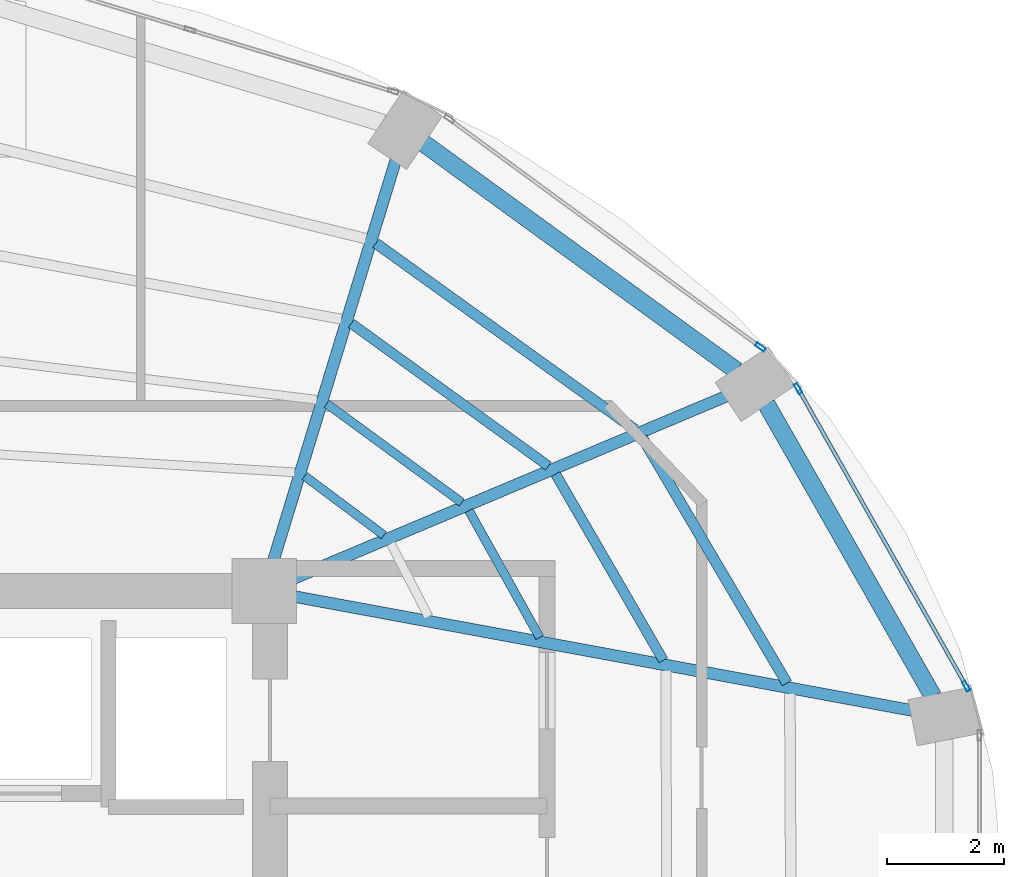
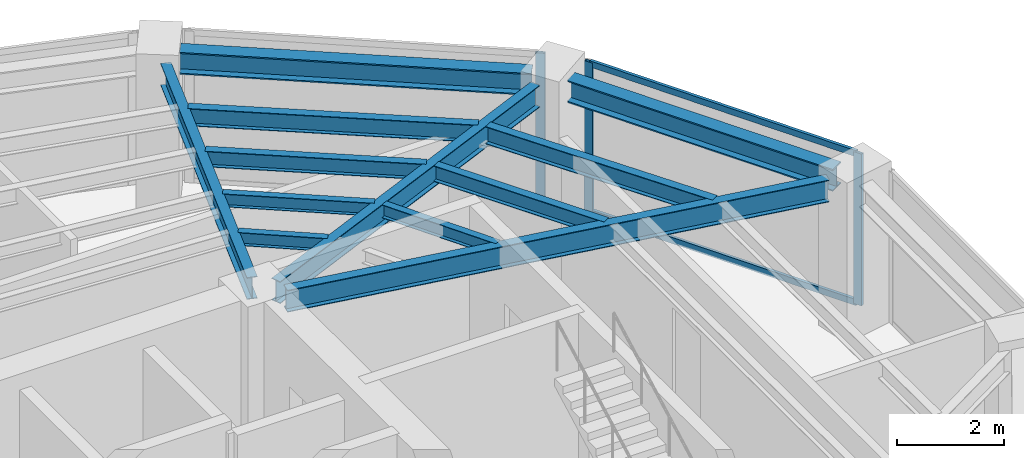
# One storey, part 15 of 23: 12 beams, 5 members, 2 elements without a shape of their own.
"""IFC4 building model written with IfcOpenShell, lengths in metres."""

from ifc_helpers import new_model, si_unit, direction, frame, origin, origin_2d, place, context, subcontext, project, spatial, hollow_rectangle, i_section, extrude, material, layer, layer_set, material_profile, profile_set, type_object, element, aggregate, save


model = new_model("IFC4")

# Units and contexts
model_context = context("Model", 3, precision=1e-05, world=origin(), true_north=direction((0.0, 1.0)))
body_context = subcontext(model_context, "Body", "Model", "MODEL_VIEW")
ifc_project = project(units=[si_unit("LENGTHUNIT", "METRE"), si_unit("AREAUNIT", "SQUARE_METRE"), si_unit("VOLUMEUNIT", "CUBIC_METRE"), si_unit("PLANEANGLEUNIT", "RADIAN"), si_unit("MASSUNIT", "GRAM", prefix="KILO")], contexts=[model_context])

# Site, building, storey
site_placement = place(None, origin())
site = spatial("IfcSite", under=ifc_project, at=site_placement, CompositionType="ELEMENT")
building_placement = place(site_placement, origin())
building = spatial("IfcBuilding", under=site, at=building_placement, Name="Lazwardi Medical Tower", CompositionType="ELEMENT")
storey_placement = place(building_placement, frame((0.0, 0.0, 213.072021484375)))
storey = spatial("IfcBuildingStorey", under=building, at=storey_placement, Name="L55", CompositionType="ELEMENT", Elevation=213.072021484375)

# Beams
ifc_material_1 = material(Name="Steel S355", Category="steel")
ifc_material_profile_1 = material_profile(ifc_material_1, i_section(OverallWidth=0.300048828125, OverallDepth=0.5, WebThickness=0.014404296875, FlangeThickness=0.028076171875, at=origin_2d()), Name="HEB 500")
ifc_profile_set_1 = profile_set([ifc_material_profile_1], Name="Steel S355")
beam_type_1 = type_object("IfcBeamType", Name="BM-RB-Z4", PredefinedType="BEAM", material=ifc_profile_set_1)
beam_1_placement = place(storey_placement, frame((56.991943359375, 33.8017578125, 3.197998046875), z_axis=(-0.495125273299, 0.868821594886, 0.0), x_axis=(-0.868821594886, -0.495125273299, 0.0)))
element("IfcBeam", 1, at=beam_1_placement, inside=storey, type_object=beam_type_1, Name="Ring beam RB-05 B05 L55", PredefinedType="BEAM", context=body_context, shape_type="SweptSolid", body=[
    extrude(i_section(OverallWidth=0.300048828125, OverallDepth=0.5, WebThickness=0.014404296875, FlangeThickness=0.028076171875, at=origin_2d()), origin(), (0.0, 0.0, 1.0), 5.734130859375),
])
beam_2_placement = place(storey_placement, frame((53.644287109375, 39.351806640625, 3.197998046875), z_axis=(-0.808889916254, 0.587960120571, 0.0), x_axis=(-0.587960120571, -0.808889916254, 0.0)))
element("IfcBeam", 2, at=beam_2_placement, inside=storey, type_object=beam_type_1, Name="Ring beam RB-05 B06 L55", PredefinedType="BEAM", context=body_context, shape_type="SweptSolid", body=[
    extrude(i_section(OverallWidth=0.300048828125, OverallDepth=0.5, WebThickness=0.014404296875, FlangeThickness=0.028076171875, at=origin_2d()), origin(), (0.0, 0.0, 1.0), 6.587158203125),
])
ifc_material_profile_2 = material_profile(ifc_material_1, i_section(OverallWidth=0.199951171875, OverallDepth=0.5, WebThickness=0.01025390625, FlangeThickness=0.01611328125, at=origin_2d()), Name="IPE 500")
ifc_profile_set_2 = profile_set([ifc_material_profile_2], Name="Steel S355")
beam_type_2 = type_object("IfcBeamType", Name="BM-RG-W3", PredefinedType="BEAM", material=ifc_profile_set_2)
beam_3_placement = place(storey_placement, frame((56.658935546875, 33.56005859375, 3.197998046875), z_axis=(-0.983409341459, 0.181400295288, 0.0), x_axis=(-0.181400295288, -0.983409341459, 0.0)))
element("IfcBeam", 3, at=beam_3_placement, inside=storey, type_object=beam_type_2, Name="Radial girder RG-04 R05 L55", PredefinedType="BEAM", context=body_context, shape_type="SweptSolid", body=[
    extrude(i_section(OverallWidth=0.199951171875, OverallDepth=0.5, WebThickness=0.01025390625, FlangeThickness=0.01611328125, at=origin_2d()), origin(), (0.0, 0.0, 1.0), 10.71044921875),
])
beam_4_placement = place(storey_placement, frame((53.466796875, 38.914794921875, 3.197998046875), z_axis=(-0.921526791352, -0.388314785735, 0.0), x_axis=(0.388314785735, -0.921526791352, 0.0)))
element("IfcBeam", 4, at=beam_4_placement, inside=storey, type_object=beam_type_2, Name="Radial girder RG-04 R06 L55", PredefinedType="BEAM", context=body_context, shape_type="SweptSolid", body=[
    extrude(i_section(OverallWidth=0.199951171875, OverallDepth=0.5, WebThickness=0.01025390625, FlangeThickness=0.01611328125, at=origin_2d()), origin(), (0.0, 0.0, 1.0), 8.001708984375),
])
beam_5_placement = place(storey_placement, frame((47.843994140625, 42.9423828125, 3.197998046875), z_axis=(-0.292276716539, -0.956333791607, 0.0), x_axis=(0.956333791607, -0.292276716539, 0.0)))
element("IfcBeam", 5, at=beam_5_placement, inside=storey, type_object=beam_type_2, Name="Radial girder RG-04 R07 L55", PredefinedType="BEAM", context=body_context, shape_type="SweptSolid", body=[
    extrude(i_section(OverallWidth=0.199951171875, OverallDepth=0.5, WebThickness=0.01025390625, FlangeThickness=0.01611328125, at=origin_2d()), origin(), (0.0, 0.0, 1.0), 7.142822265625),
])
ifc_material_profile_3 = material_profile(ifc_material_1, i_section(OverallWidth=0.179931640625, OverallDepth=0.39990234375, WebThickness=0.008544921875, FlangeThickness=0.013427734375, at=origin_2d()), Name="IPE 400")
ifc_profile_set_3 = profile_set([ifc_material_profile_3], Name="Steel S355")
beam_type_3 = type_object("IfcBeamType", Name="BM-SJ-01", PredefinedType="JOIST", material=ifc_profile_set_3)
beam_6_placement = place(storey_placement, frame((54.504150390625, 34.030517578125, 3.248046875), z_axis=(-0.507710311367, 0.861527851977, 0.0), x_axis=(-0.861527851977, -0.507710311367, 0.0)))
element("IfcBeam", 6, at=beam_6_placement, inside=storey, type_object=beam_type_3, Name="Secondary joist SJ-01 R1 B05 L55", PredefinedType="JOIST", context=body_context, shape_type="SweptSolid", body=[
    extrude(i_section(OverallWidth=0.179931640625, OverallDepth=0.39990234375, WebThickness=0.008544921875, FlangeThickness=0.013427734375, at=origin_2d()), origin(), (0.0, 0.0, 1.0), 4.852783203125),
])
beam_7_placement = place(storey_placement, frame((51.914794921875, 38.348876953125, 3.248046875), z_axis=(-0.811889581337, 0.58381102055, 0.0), x_axis=(-0.58381102055, -0.811889581337, 0.0)))
element("IfcBeam", 7, at=beam_7_placement, inside=storey, type_object=beam_type_3, Name="Secondary joist SJ-01 R1 B06 L55", PredefinedType="JOIST", context=body_context, shape_type="SweptSolid", body=[
    extrude(i_section(OverallWidth=0.179931640625, OverallDepth=0.39990234375, WebThickness=0.008544921875, FlangeThickness=0.013427734375, at=origin_2d()), origin(), (0.0, 0.0, 1.0), 5.433349609375),
])
ifc_material_profile_4 = material_profile(ifc_material_1, i_section(OverallWidth=0.169921875, OverallDepth=0.360107421875, WebThickness=0.008056640625, FlangeThickness=0.0126953125, at=origin_2d()), Name="IPE 360")
ifc_profile_set_4 = profile_set([ifc_material_profile_4], Name="Steel S355")
beam_type_4 = type_object("IfcBeamType", Name="BM-SJ-02", PredefinedType="JOIST", material=ifc_profile_set_4)
beam_8_placement = place(storey_placement, frame((52.398193359375, 34.41943359375, 3.26806640625), z_axis=(-0.500655179543, 0.865646805109, 0.0), x_axis=(-0.865646805109, -0.500655179543, 0.0)))
element("IfcBeam", 8, at=beam_8_placement, inside=storey, type_object=beam_type_4, Name="Secondary joist SJ-02 R2 B05 L55", PredefinedType="JOIST", context=body_context, shape_type="SweptSolid", body=[
    extrude(i_section(OverallWidth=0.169921875, OverallDepth=0.360107421875, WebThickness=0.008056640625, FlangeThickness=0.0126953125, at=origin_2d()), origin(), (0.0, 0.0, 1.0), 3.662109375),
])
beam_9_placement = place(storey_placement, frame((50.440185546875, 37.7275390625, 3.26806640625), z_axis=(-0.810164229155, 0.586202969796, 0.0), x_axis=(-0.586202969796, -0.810164229155, 0.0)))
element("IfcBeam", 9, at=beam_9_placement, inside=storey, type_object=beam_type_4, Name="Secondary joist SJ-02 R2 B06 L55", PredefinedType="JOIST", context=body_context, shape_type="SweptSolid", body=[
    extrude(i_section(OverallWidth=0.169921875, OverallDepth=0.360107421875, WebThickness=0.008056640625, FlangeThickness=0.0126953125, at=origin_2d()), origin(), (0.0, 0.0, 1.0), 4.14013671875),
])
ifc_material_profile_5 = material_profile(ifc_material_1, i_section(OverallWidth=0.14990234375, OverallDepth=0.300048828125, WebThickness=0.007080078125, FlangeThickness=0.0107421875, at=origin_2d()), Name="IPE 300")
ifc_profile_set_5 = profile_set([ifc_material_profile_5], Name="Steel S355")
beam_type_5 = type_object("IfcBeamType", Name="BM-SJ-03", PredefinedType="JOIST", material=ifc_profile_set_5)
beam_10_placement = place(storey_placement, frame((50.29296875, 34.80859375, 3.298095703125), z_axis=(-0.487092942089, 0.873350139272, 0.0), x_axis=(-0.873350139272, -0.487092942089, 0.0)))
element("IfcBeam", 10, at=beam_10_placement, inside=storey, type_object=beam_type_5, Name="Secondary joist SJ-03 R3 B05 L55", PredefinedType="JOIST", context=body_context, shape_type="SweptSolid", body=[
    extrude(i_section(OverallWidth=0.14990234375, OverallDepth=0.300048828125, WebThickness=0.007080078125, FlangeThickness=0.0107421875, at=origin_2d()), origin(), (0.0, 0.0, 1.0), 2.471923828125),
])
beam_11_placement = place(storey_placement, frame((48.9658203125, 37.106689453125, 3.298095703125), z_axis=(-0.80703431267, 0.59050454543, 0.0), x_axis=(-0.59050454543, -0.80703431267, 0.0)))
element("IfcBeam", 11, at=beam_11_placement, inside=storey, type_object=beam_type_5, Name="Secondary joist SJ-03 R3 B06 L55", PredefinedType="JOIST", context=body_context, shape_type="SweptSolid", body=[
    extrude(i_section(OverallWidth=0.14990234375, OverallDepth=0.300048828125, WebThickness=0.007080078125, FlangeThickness=0.0107421875, at=origin_2d()), origin(), (0.0, 0.0, 1.0), 2.846923828125),
])
beam_12_placement = place(storey_placement, frame((47.63916015625, 36.548095703125, 3.298095703125), z_axis=(-0.800365301971, 0.599512621553, 0.0), x_axis=(-0.599512621553, -0.800365301971, 0.0)))
element("IfcBeam", 12, at=beam_12_placement, inside=storey, type_object=beam_type_5, Name="Secondary joist SJ-03 R4 B06 L55", PredefinedType="JOIST", context=body_context, shape_type="SweptSolid", body=[
    extrude(i_section(OverallWidth=0.14990234375, OverallDepth=0.300048828125, WebThickness=0.007080078125, FlangeThickness=0.0107421875, at=origin_2d()), origin(), (0.0, 0.0, 1.0), 1.68359375),
])

# Curtain wall, members
ifc_material_2 = material(Name="Anodised bronze aluminium and solar control glazing", Category="aluminium")
ifc_layer = layer(ifc_material_2, 0.18994140625)
ifc_layer_set = layer_set([ifc_layer], Name="Anodised bronze aluminium and solar control glazing")
curtain_wall_type = type_object("IfcCurtainWallType", Name="CW-SYS-04", PredefinedType="NOTDEFINED", material=ifc_layer_set)
curtain_wall_1_placement = place(storey_placement, origin())
curtain_wall_1 = element("IfcCurtainWall", 13, at=curtain_wall_1_placement, inside=storey, type_object=curtain_wall_type, Name="L55 Unitised bronze curtain wall CW-04", PredefinedType="NOTDEFINED")
ifc_material_3 = material(Name="Anodised bronze aluminium", Category="aluminium")
ifc_material_profile_6 = material_profile(ifc_material_3, hollow_rectangle(XDim=0.06494140625, YDim=0.179931640625, WallThickness=0.00390625, at=origin_2d()), Name="ALU-MULLION 180x65x4")
ifc_profile_set_6 = profile_set([ifc_material_profile_6], Name="Anodised bronze aluminium")
member_type_1 = type_object("IfcMemberType", Name="CW-MUL-03", PredefinedType="MULLION", material=ifc_profile_set_6)
member_1_placement = place(storey_placement, frame((57.557373046875, 33.978271484375, 0.0), z_axis=(0.0, 0.0, 1.0), x_axis=(-0.870651436011, -0.491900474661, 0.0)))
member_1 = element("IfcMember", 14, at=member_1_placement, type_object=member_type_1, Name="CW-04 mullion 1", PredefinedType="MULLION", context=body_context, shape_type="SweptSolid", body=[
    extrude(hollow_rectangle(XDim=0.06494140625, YDim=0.179931640625, WallThickness=0.00390625, at=origin_2d()), origin(), (0.0, 0.0, 1.0), 3.447998046875),
])
member_2_placement = place(storey_placement, frame((54.6943359375, 39.04541015625, 0.0), z_axis=(0.0, 0.0, 1.0), x_axis=(-0.870651436011, -0.491900474661, 0.0)))
member_2 = element("IfcMember", 15, at=member_2_placement, type_object=member_type_1, Name="CW-04 mullion 2", PredefinedType="MULLION", context=body_context, shape_type="SweptSolid", body=[
    extrude(hollow_rectangle(XDim=0.06494140625, YDim=0.179931640625, WallThickness=0.00390625, at=origin_2d()), origin(), (0.0, 0.0, 1.0), 3.447998046875),
])

# Curtain wall, member
curtain_wall_2_placement = place(storey_placement, origin())
curtain_wall_2 = element("IfcCurtainWall", 16, at=curtain_wall_2_placement, inside=storey, type_object=curtain_wall_type, Name="L55 Unitised bronze curtain wall CW-04", PredefinedType="NOTDEFINED")
member_3_placement = place(storey_placement, frame((54.052001953125, 39.751708984375, 0.0), z_axis=(0.0, 0.0, 1.0), x_axis=(-0.591268230971, -0.806474971121, 0.0)))
member_3 = element("IfcMember", 17, at=member_3_placement, type_object=member_type_1, Name="CW-04 mullion 1", PredefinedType="MULLION", context=body_context, shape_type="SweptSolid", body=[
    extrude(hollow_rectangle(XDim=0.06494140625, YDim=0.179931640625, WallThickness=0.00390625, at=origin_2d()), origin(), (0.0, 0.0, 1.0), 3.447998046875),
])
aggregate(curtain_wall_2, [member_3])

# Member
ifc_material_profile_7 = material_profile(ifc_material_3, hollow_rectangle(XDim=0.06494140625, YDim=0.139892578125, WallThickness=0.00341796875, at=origin_2d()), Name="ALU-TRANSOM 140x65x3.5")
ifc_profile_set_7 = profile_set([ifc_material_profile_7], Name="Anodised bronze aluminium")
member_type_2 = type_object("IfcMemberType", Name="CW-TRN-03", PredefinedType="USERDEFINED", material=ifc_profile_set_7)
member_4_placement = place(storey_placement, frame((57.541259765625, 34.006591796875, 0.032470703125), z_axis=(-0.491897887635, 0.870652897623, 0.0), x_axis=(-0.870652897623, -0.491897887635, 0.0)))
member_4 = element("IfcMember", 18, at=member_4_placement, type_object=member_type_2, Name="CW-04 transom 1.1", ObjectType="TRANSOM", PredefinedType="USERDEFINED", context=body_context, shape_type="SweptSolid", body=[
    extrude(hollow_rectangle(XDim=0.06494140625, YDim=0.139892578125, WallThickness=0.00341796875, at=origin_2d()), origin(), (0.0, 0.0, 1.0), 5.7548828125),
])

member_5_placement = place(storey_placement, frame((57.541259765625, 34.006591796875, 3.41552734375), z_axis=(-0.491897887635, 0.870652897623, 0.0), x_axis=(-0.870652897623, -0.491897887635, 0.0)))
member_5 = element("IfcMember", 19, at=member_5_placement, type_object=member_type_2, Name="CW-04 transom 1.2", ObjectType="TRANSOM", PredefinedType="USERDEFINED", context=body_context, shape_type="SweptSolid", body=[
    extrude(hollow_rectangle(XDim=0.06494140625, YDim=0.139892578125, WallThickness=0.00341796875, at=origin_2d()), origin(), (0.0, 0.0, 1.0), 5.7548828125),
])

aggregate(curtain_wall_1, [member_1, member_2, member_4, member_5])

save(model, "model.ifc")
